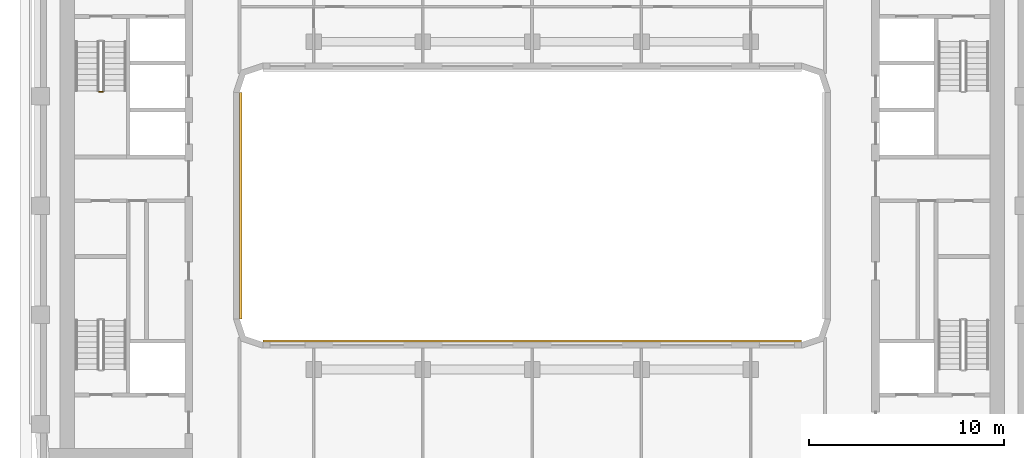
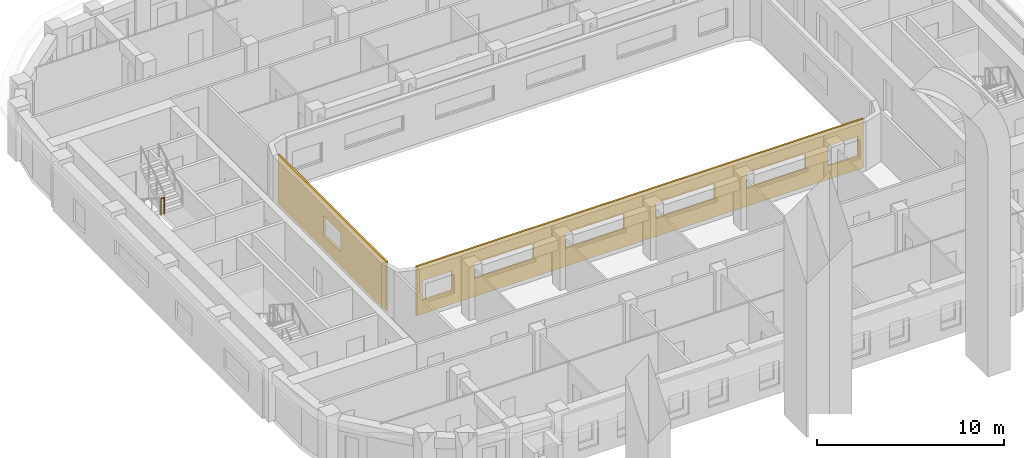
# One storey, part 12 of 18: 2 coverings, 1 railing.
"""IFC4 building model written with IfcOpenShell, lengths in metres."""

import ifcopenshell
import ifcopenshell.guid

model = None  # the IFC model being written
_history = None  # IfcOwnerHistory: only IFC2X3 demands one
_inside = {}  # id of a spatial element -> (the spatial element, [elements in it])
_under = {}  # id of a project, library or spatial element -> (it, [spatial elements below it])
_declared = {}  # id of a project -> (the project, [libraries it declares])
_typed = {}  # id of a type object -> (the type object, [elements of that type])
_made_of = {}  # id of a material, layer set ... -> (it, [elements and type objects made of it])


def new_model(schema):
    """Start an empty IFC model of exactly this schema.

    Asked for "IFC4X3", IfcOpenShell would pick the latest addendum, in which some entities
    have other attributes; the version numbers below select the first issue.
    IFC2X3 requires an IfcOwnerHistory on every rooted entity: one is made here for all.
    """
    global model, _history
    if schema == "IFC4X3":
        model = ifcopenshell.file(schema_version=(4, 3, 0, 0))
    else:
        model = ifcopenshell.file(schema=schema)
    _inside.clear()
    _under.clear()
    _declared.clear()
    _typed.clear()
    _made_of.clear()
    _history = None
    if model.schema == "IFC2X3":
        org = make("IfcOrganization", Name="unknown")
        user = make(
            "IfcPersonAndOrganization",
            ThePerson=make("IfcPerson", FamilyName="unknown"),
            TheOrganization=org,
        )
        app = make(
            "IfcApplication",
            ApplicationDeveloper=org,
            Version="unknown",
            ApplicationFullName="unknown",
            ApplicationIdentifier="unknown",
        )
        _history = make(
            "IfcOwnerHistory",
            OwningUser=user,
            OwningApplication=app,
            ChangeAction="ADDED",
            CreationDate=0,
        )
    return model


def make(cls, **values):
    """One entity of the class cls with the attributes given. An attribute that is None is left unset."""
    return model.create_entity(
        cls, **{name: value for name, value in values.items() if value is not None}
    )


def rooted(cls, **values):
    """An entity with a GlobalId (a new one), such as an element, a storey or a relation."""
    return make(cls, GlobalId=ifcopenshell.guid.new(), OwnerHistory=_history, **values)


def si_unit(unit_type, name, prefix=None):
    """IfcSIUnit, for example si_unit("LENGTHUNIT", "METRE", prefix="MILLI")."""
    return make("IfcSIUnit", UnitType=unit_type, Prefix=prefix, Name=name)


def assignment(units):
    """IfcUnitAssignment: the units of a project."""
    return None if units is None else make("IfcUnitAssignment", Units=units)


def point(xyz):
    """IfcCartesianPoint."""
    return None if xyz is None else make("IfcCartesianPoint", Coordinates=xyz)


def direction(xyz):
    """IfcDirection."""
    return None if xyz is None else make("IfcDirection", DirectionRatios=xyz)


def frame(location, z_axis=None, x_axis=None):
    """IfcAxis2Placement3D, a coordinate frame: its origin and axes. An axis left out is left unset."""
    return make(
        "IfcAxis2Placement3D",
        Location=point(location),
        Axis=direction(z_axis),
        RefDirection=direction(x_axis),
    )


def frame_2d(location, x_axis=None):
    """IfcAxis2Placement2D, a coordinate frame in the plane: its origin and x axis."""
    return make(
        "IfcAxis2Placement2D", Location=point(location), RefDirection=direction(x_axis)
    )


def origin():
    """The frame at (0, 0, 0) with its axes left unset."""
    return frame((0.0, 0.0, 0.0))


def origin_2d():
    """The frame at (0, 0) in the plane with its x axis left unset."""
    return frame_2d((0.0, 0.0))


def place(relative_to, where):
    """IfcLocalPlacement: puts the frame where relative to a parent placement (None: the world)."""
    return make(
        "IfcLocalPlacement", PlacementRelTo=relative_to, RelativePlacement=where
    )


def context(
    kind, dimensions, precision=None, world=None, true_north=None, identifier=None
):
    """IfcGeometricRepresentationContext, for example the 3D "Model" context."""
    return make(
        "IfcGeometricRepresentationContext",
        ContextIdentifier=identifier,
        ContextType=kind,
        CoordinateSpaceDimension=dimensions,
        Precision=precision,
        WorldCoordinateSystem=world,
        TrueNorth=true_north,
    )


def subcontext(parent, identifier, kind, view, scale=None):
    """IfcGeometricRepresentationSubContext, for example "Body" below "Model"."""
    return make(
        "IfcGeometricRepresentationSubContext",
        ContextIdentifier=identifier,
        ContextType=kind,
        ParentContext=parent,
        TargetScale=scale,
        TargetView=view,
    )


def project(units=None, contexts=None):
    """IfcProject with its units and contexts."""
    return rooted(
        "IfcProject",
        Name="project",
        RepresentationContexts=contexts,
        UnitsInContext=assignment(units),
    )


def spatial(cls, under=None, at=None, **own):
    """A site, building, storey or space (cls), placed at a placement, below another one or the project."""
    s = rooted(cls, ObjectPlacement=at, **own)
    if under is not None:
        _under.setdefault(under.id(), (under, []))[1].append(s)
    return s


def polyline(points):
    """IfcPolyline through the points."""
    return make("IfcPolyline", Points=[point(p) for p in points])


def profile(cls, at=None, kind="AREA", **sizes):
    """A parametric profile (cls). Its sizes go by their IFC names, for example OverallWidth=200.0."""
    return make(cls, ProfileType=kind, Position=at, **sizes)


def circle(**sizes):
    """IfcCircleProfileDef."""
    return profile("IfcCircleProfileDef", **sizes)


def outline(outer, holes=None, kind="AREA"):
    """IfcArbitraryClosedProfileDef: a profile drawn as a closed curve; with holes, ...WithVoids."""
    if holes is None:
        return make("IfcArbitraryClosedProfileDef", ProfileType=kind, OuterCurve=outer)
    return make(
        "IfcArbitraryProfileDefWithVoids",
        ProfileType=kind,
        OuterCurve=outer,
        InnerCurves=holes,
    )


def extrude(swept, where, along, depth):
    """IfcExtrudedAreaSolid: the profile swept, set in the frame where, extruded along a direction by depth."""
    return make(
        "IfcExtrudedAreaSolid",
        SweptArea=swept,
        Position=where,
        ExtrudedDirection=direction(along),
        Depth=depth,
    )


def shape(context_of_items, identifier, shape_type, items):
    """IfcShapeRepresentation: the items that make up one representation, for example the "Body"."""
    return make(
        "IfcShapeRepresentation",
        ContextOfItems=context_of_items,
        RepresentationIdentifier=identifier,
        RepresentationType=shape_type,
        Items=items,
    )


def material(Name=None, Category=None):
    """IfcMaterial."""
    return make("IfcMaterial", Name=Name, Category=Category)


def layer(
    of_material, thickness, ventilated=None, Name=None, Category=None, Priority=None
):
    """IfcMaterialLayer: one layer of a wall or slab, of a material (None: an air gap)."""
    return make(
        "IfcMaterialLayer",
        Material=of_material,
        LayerThickness=thickness,
        IsVentilated=ventilated,
        Name=Name,
        Category=Category,
        Priority=Priority,
    )


def layer_set(layers, Name=None):
    """IfcMaterialLayerSet."""
    return make("IfcMaterialLayerSet", MaterialLayers=layers, LayerSetName=Name)


def made_of(thing, what):
    """Note that an element or type object is made of a material, layer set ...; save() writes the relation."""
    if what is not None:
        _made_of.setdefault(what.id(), (what, []))[1].append(thing)
    return thing


def type_object(cls, material=None, **own):
    """A type object (cls), such as IfcWallType, which elements share."""
    return made_of(rooted(cls, **own), material)


def element(
    cls,
    number,
    at=None,
    inside=None,
    cuts=None,
    type_object=None,
    material=None,
    context=None,
    identifier="Body",
    shape_type=None,
    held_by="IfcProductDefinitionShape",
    body=None,
    shapes=None,
    **own,
):
    """One element of the class cls, such as IfcWall. Its Tag is "e" and its number.

    at: its placement. inside: the storey or other place that contains it. cuts: it is an
    opening in that element (IfcRelVoidsElement). A single representation is given by context,
    identifier, shape_type and body (its items); several are given by shapes. held_by: the class
    of the entity that holds the representations. save() writes the other relations.
    """
    e = rooted(cls, Tag="e%d" % number, ObjectPlacement=at, **own)
    if body is not None:
        shapes = [shape(context, identifier, shape_type, body)]
    if shapes is not None:
        e.Representation = make(held_by, Representations=shapes)
    if inside is not None:
        _inside.setdefault(inside.id(), (inside, []))[1].append(e)
    if cuts is not None:
        rooted(
            "IfcRelVoidsElement", RelatingBuildingElement=cuts, RelatedOpeningElement=e
        )
    if type_object is not None:
        _typed.setdefault(type_object.id(), (type_object, []))[1].append(e)
    return made_of(e, material)


def aggregate(whole, parts):
    """IfcRelAggregates: a whole, such as a stair, and the parts it consists of."""
    return rooted("IfcRelAggregates", RelatingObject=whole, RelatedObjects=parts)


def save(model, path):
    """Write the relations noted so far, then the file.

    IfcRelAggregates (storeys below a building ...), IfcRelContainedInSpatialStructure (elements
    in a storey), IfcRelDefinesByType, IfcRelAssociatesMaterial and IfcRelDeclares: one each for
    every whole, place, type object, material and project.
    """
    for whole, parts in _under.values():
        aggregate(whole, parts)
    for where, things in _inside.values():
        rooted(
            "IfcRelContainedInSpatialStructure",
            RelatedElements=things,
            RelatingStructure=where,
        )
    for kind, things in _typed.values():
        rooted("IfcRelDefinesByType", RelatedObjects=things, RelatingType=kind)
    for what, things in _made_of.values():
        rooted("IfcRelAssociatesMaterial", RelatedObjects=things, RelatingMaterial=what)
    for by, libraries in _declared.values():
        rooted("IfcRelDeclares", RelatingContext=by, RelatedDefinitions=libraries)
    model.write(path)


model = new_model("IFC4")

# Units and contexts
model_context = context("Model", 3, precision=1e-05, world=origin(), true_north=direction((0.0, 1.0)))
body_context = subcontext(model_context, "Body", "Model", "MODEL_VIEW")
ifc_project = project(units=[si_unit("LENGTHUNIT", "METRE"), si_unit("AREAUNIT", "SQUARE_METRE"), si_unit("VOLUMEUNIT", "CUBIC_METRE"), si_unit("PLANEANGLEUNIT", "RADIAN"), si_unit("MASSUNIT", "GRAM", prefix="KILO")], contexts=[model_context])

# Site, building, storey
site_placement = place(None, origin())
site = spatial("IfcSite", under=ifc_project, at=site_placement, CompositionType="ELEMENT")
building_placement = place(site_placement, origin())
building = spatial("IfcBuilding", under=site, at=building_placement, Name="Kiln Ring Residences", CompositionType="ELEMENT")
storey_placement = place(building_placement, frame((0.0, 0.0, 209.89990234375)))
storey = spatial("IfcBuildingStorey", under=building, at=storey_placement, Name="L54", CompositionType="ELEMENT", Elevation=209.89990234375)

# Railing
ifc_material_1 = material(Name="Stainless steel", Category="steel")
railing_type = type_object("IfcRailingType", Name="CORE-STAIR-GUARD", PredefinedType="GUARDRAIL", material=ifc_material_1)
railing_placement = place(storey_placement, frame((-22.199951171875, 5.830078125, 1.75)))
element("IfcRailing", 1, at=railing_placement, inside=storey, type_object=railing_type, Name="L54 W-STN stair guard 2", PredefinedType="GUARDRAIL", context=body_context, shape_type="SweptSolid", body=[
    extrude(circle(Radius=0.02392578125, at=origin_2d()), frame((0.0, 0.0, 1.076171875), z_axis=(1.0, 0.0, 0.0), x_axis=(0.0, 1.0, 0.0)), (0.0, 0.0, 1.0), 0.199951171875),
    extrude(circle(Radius=0.02099609375, at=origin_2d()), origin(), (0.0, 0.0, 1.0), 1.052001953125),
    extrude(circle(Radius=0.02099609375, at=origin_2d()), frame((0.199951171875, 0.0, 0.0)), (0.0, 0.0, 1.0), 1.052001953125),
])

# Coverings
ifc_material_2 = material(Name="Brick masonry, dark clay brick", Category="masonry")
ifc_layer = layer(ifc_material_2, 0.1201171875)
ifc_layer_set = layer_set([ifc_layer], Name="RAINSCREEN PANEL 120")
covering_type = type_object("IfcCoveringType", Name="RAINSCREEN PANEL 120", PredefinedType="CLADDING", material=ifc_layer_set)
covering_1_placement = place(storey_placement, frame((-14.93994140625, -5.800048828125, 0.0), z_axis=(0.0, 0.0, 1.0), x_axis=(0.0, 1.0, 0.0)))
element("IfcCovering", 2, at=covering_1_placement, inside=storey, type_object=covering_type, Name="RAINSCREEN L54", PredefinedType="CLADDING", context=body_context, shape_type="SweptSolid", body=[
    extrude(outline(polyline([(0.0, 0.0), (11.60009765625, 0.0), (11.60009765625, 3.2001953125), (0.0, 3.2001953125), (0.0, 0.0)]), holes=[polyline([(4.89990234375, 2.150146484375), (4.89990234375, 0.900146484375), (6.699951171875, 0.900146484375), (6.699951171875, 2.150146484375), (4.89990234375, 2.150146484375)])]), frame((0.0, 0.06005859375, 0.0), z_axis=(0.0, -1.0, 0.0), x_axis=(1.0, 0.0, 0.0)), (0.0, 0.0, 1.0), 0.1201171875),
])
covering_2_placement = place(storey_placement, frame((13.800048828125, -6.93994140625, 0.0), z_axis=(0.0, 0.0, 1.0), x_axis=(-1.0, 0.0, 0.0)))
element("IfcCovering", 3, at=covering_2_placement, inside=storey, type_object=covering_type, Name="RAINSCREEN L54", PredefinedType="CLADDING", context=body_context, shape_type="SweptSolid", body=[
    extrude(outline(polyline([(0.0, 0.0), (27.60009765625, 0.0), (27.60009765625, 3.2001953125), (0.0, 3.2001953125), (0.0, 0.0)]), holes=[polyline([(2.1826171875, 0.880126953125), (2.1826171875, 2.170166015625), (0.342529296875, 2.170166015625), (0.342529296875, 0.880126953125), (2.1826171875, 0.880126953125)]), polyline([(25.41748046875, 0.880126953125), (27.257568359375, 0.880126953125), (27.257568359375, 2.170166015625), (25.41748046875, 2.170166015625), (25.41748046875, 0.880126953125)]), polyline([(3.580078125, 1.18017578125), (7.219970703125, 1.18017578125), (7.219970703125, 2.170166015625), (3.580078125, 2.170166015625), (3.580078125, 1.18017578125)]), polyline([(12.820068359375, 1.18017578125), (12.820068359375, 2.170166015625), (9.179931640625, 2.170166015625), (9.179931640625, 1.18017578125), (12.820068359375, 1.18017578125)]), polyline([(14.780029296875, 1.18017578125), (18.419921875, 1.18017578125), (18.419921875, 2.170166015625), (14.780029296875, 2.170166015625), (14.780029296875, 1.18017578125)]), polyline([(20.3798828125, 1.18017578125), (24.02001953125, 1.18017578125), (24.02001953125, 2.170166015625), (20.3798828125, 2.170166015625), (20.3798828125, 1.18017578125)])]), frame((0.0, 0.06005859375, 0.0), z_axis=(0.0, -1.0, 0.0), x_axis=(1.0, 0.0, 0.0)), (0.0, 0.0, 1.0), 0.1201171875),
])

save(model, "model.ifc")
